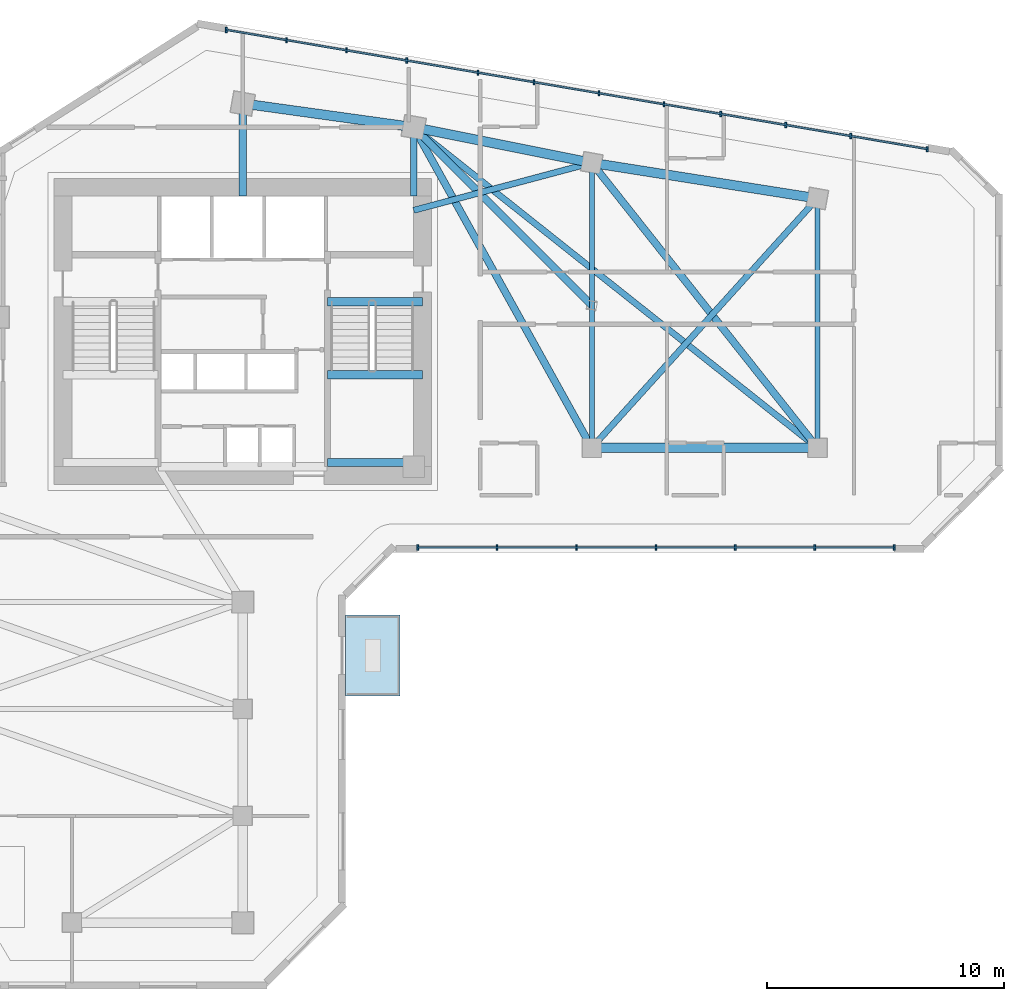
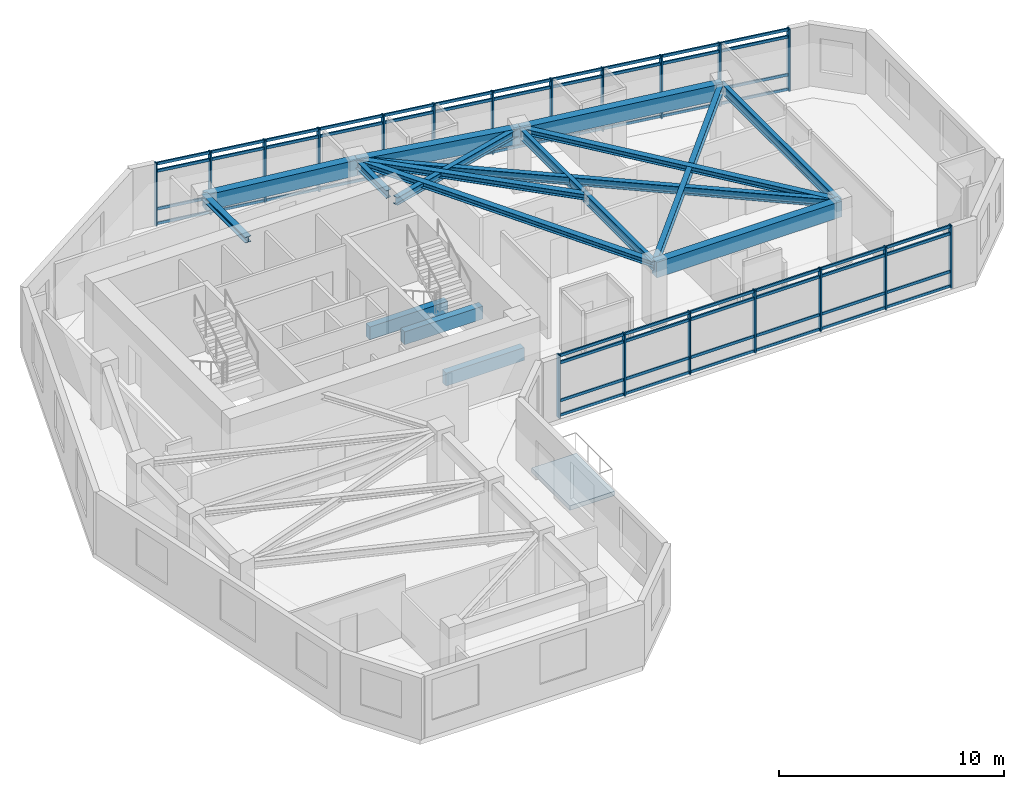
# One storey, part 2 of 10: 27 members, 17 beams, 1 slab, 2 elements without a shape of their own.
"""IFC4 building model written with IfcOpenShell, lengths in metres."""

from ifc_helpers import new_model, si_unit, direction, frame, origin, origin_2d, place, context, subcontext, project, spatial, polyline, rectangle, i_section, outline, extrude, source, transform, mapped, material, layer, layer_set, material_profile, profile_set, type_object, element, aggregate, save


model = new_model("IFC4")

# Units and contexts
model_context = context("Model", 3, precision=1e-05, world=origin(), true_north=direction((0.0, 1.0)))
body_context = subcontext(model_context, "Body", "Model", "MODEL_VIEW")
ifc_project = project(units=[si_unit("LENGTHUNIT", "METRE"), si_unit("AREAUNIT", "SQUARE_METRE"), si_unit("VOLUMEUNIT", "CUBIC_METRE"), si_unit("PLANEANGLEUNIT", "RADIAN"), si_unit("MASSUNIT", "GRAM", prefix="KILO")], contexts=[model_context])

# Site, building, storey
site_placement = place(None, origin())
site = spatial("IfcSite", under=ifc_project, at=site_placement, CompositionType="ELEMENT")
building_placement = place(site_placement, origin())
building = spatial("IfcBuilding", under=site, at=building_placement, Name="Calvemar Wedge Station Tower", CompositionType="ELEMENT")
storey_placement = place(building_placement, frame((0.0, 0.0, 153.800048828125)))
storey = spatial("IfcBuildingStorey", under=building, at=storey_placement, Name="L38", CompositionType="ELEMENT", Elevation=153.800048828125)

# Beams
ifc_material_1 = material(Name="Concrete C60", Category="concrete")
ifc_material_profile_1 = material_profile(ifc_material_1, rectangle(XDim=0.39990234375, YDim=0.85009765625, at=origin_2d()), Name="RC400x850")
ifc_profile_set_1 = profile_set([ifc_material_profile_1], Name="Concrete C60")
beam_type_1 = type_object("IfcBeamType", Name="BM-SP1-850", PredefinedType="SPANDREL", material=ifc_profile_set_1)
shared_shape_1 = source(origin(), body_context, "Body", "SweptSolid", [
    extrude(rectangle(XDim=0.39990234375, YDim=0.85009765625, at=origin_2d()), origin(), (0.0, 0.0, 1.0), 7.26904296875),
])
beam_1_placement = place(storey_placement, frame((23.800048828125, 49.5, 2.925048828125), z_axis=(0.990492146053, -0.13756928657, 0.0), x_axis=(0.13756928657, 0.990492146053, 0.0)))
element("IfcBeam", 1, at=beam_1_placement, inside=storey, type_object=beam_type_1, Name="Storey L38 Spandrel T-N1-T-N2", PredefinedType="SPANDREL", context=body_context, shape_type="MappedRepresentation", body=[
    mapped(shared_shape_1, transform((0.0, 0.0, 0.0), scale=1.0)),
])
shared_shape_2 = source(origin(), body_context, "Body", "SweptSolid", [
    extrude(rectangle(XDim=0.39990234375, YDim=0.85009765625, at=origin_2d()), origin(), (0.0, 0.0, 1.0), 7.6484375),
])
beam_2_placement = place(storey_placement, frame((31.0, 48.5, 2.925048828125), z_axis=(0.980580675691, -0.196116135138, 0.0), x_axis=(0.196116135138, 0.980580675691, 0.0)))
element("IfcBeam", 2, at=beam_2_placement, inside=storey, type_object=beam_type_1, Name="Storey L38 Spandrel T-N2-T-NU3", PredefinedType="SPANDREL", context=body_context, shape_type="MappedRepresentation", body=[
    mapped(shared_shape_2, transform((0.0, 0.0, 0.0), scale=1.0)),
])
shared_shape_3 = source(origin(), body_context, "Body", "SweptSolid", [
    extrude(rectangle(XDim=0.39990234375, YDim=0.85009765625, at=origin_2d()), origin(), (0.0, 0.0, 1.0), 9.61767578125),
])
beam_3_placement = place(storey_placement, frame((38.5, 47.0, 2.925048828125), z_axis=(0.987762965329, -0.155962573473, 0.0), x_axis=(0.155962573473, 0.987762965329, 0.0)))
element("IfcBeam", 3, at=beam_3_placement, inside=storey, type_object=beam_type_1, Name="Storey L38 Spandrel T-NU3-T-NU4", PredefinedType="SPANDREL", context=body_context, shape_type="MappedRepresentation", body=[
    mapped(shared_shape_3, transform((0.0, 0.0, 0.0), scale=1.0)),
])
shared_shape_4 = source(origin(), body_context, "Body", "SweptSolid", [
    extrude(rectangle(XDim=0.39990234375, YDim=0.85009765625, at=origin_2d()), origin(), (0.0, 0.0, 1.0), 9.5),
])
beam_4_placement = place(storey_placement, frame((38.5, 35.0, 2.925048828125), z_axis=(1.0, 0.0, 0.0), x_axis=(0.0, 1.0, 0.0)))
element("IfcBeam", 4, at=beam_4_placement, inside=storey, type_object=beam_type_1, Name="Storey L38 Spandrel T-NL2-T-NL3", PredefinedType="SPANDREL", context=body_context, shape_type="MappedRepresentation", body=[
    mapped(shared_shape_4, transform((0.0, 0.0, 0.0), scale=1.0)),
])
ifc_material_2 = material(Name="Structural steel ASTM A572 Grade 50", Category="steel")
ifc_material_profile_2 = material_profile(ifc_material_2, i_section(OverallWidth=0.304931640625, OverallDepth=0.30810546875, WebThickness=0.010009765625, FlangeThickness=0.015380859375, FilletRadius=0.014892578125, at=origin_2d()), Name="W310x97")
ifc_profile_set_2 = profile_set([ifc_material_profile_2], Name="Structural steel ASTM A572 Grade 50")
beam_type_2 = type_object("IfcBeamType", Name="BM-J6-W310", PredefinedType="JOIST", material=ifc_profile_set_2)
shared_shape_5 = source(origin(), body_context, "Body", "SweptSolid", [
    extrude(i_section(OverallWidth=0.304931640625, OverallDepth=0.30810546875, WebThickness=0.010009765625, FlangeThickness=0.015380859375, FilletRadius=0.014892578125, at=origin_2d()), origin(), (0.0, 0.0, 1.0), 15.443359375),
])
beam_5_placement = place(storey_placement, frame((31.0, 48.5, 3.196044921875), z_axis=(0.485642931179, -0.874157276122, 0.0), x_axis=(0.874157276122, 0.485642931179, 0.0)))
element("IfcBeam", 5, at=beam_5_placement, inside=storey, type_object=beam_type_2, Name="Storey L38 Floor Beam T-N2-T-NL2", PredefinedType="JOIST", context=body_context, shape_type="MappedRepresentation", body=[
    mapped(shared_shape_5, transform((0.0, 0.0, 0.0), scale=1.0)),
])
ifc_material_profile_3 = material_profile(ifc_material_2, i_section(OverallWidth=0.260986328125, OverallDepth=0.419921875, WebThickness=0.01171875, FlangeThickness=0.019287109375, FilletRadius=0.012939453125, at=origin_2d()), Name="W410x114")
ifc_profile_set_3 = profile_set([ifc_material_profile_3], Name="Structural steel ASTM A572 Grade 50")
beam_type_3 = type_object("IfcBeamType", Name="BM-J2-W410H", PredefinedType="JOIST", material=ifc_profile_set_3)
shared_shape_6 = source(origin(), body_context, "Body", "SweptSolid", [
    extrude(i_section(OverallWidth=0.260986328125, OverallDepth=0.419921875, WebThickness=0.01171875, FlangeThickness=0.019287109375, FilletRadius=0.012939453125, at=origin_2d()), origin(), (0.0, 0.0, 1.0), 21.708251953125),
])
beam_6_placement = place(storey_placement, frame((31.0, 48.5, 3.139892578125), z_axis=(0.783110847498, -0.621882143602, 0.0), x_axis=(0.621882143602, 0.783110847498, 0.0)))
element("IfcBeam", 6, at=beam_6_placement, inside=storey, type_object=beam_type_3, Name="Storey L38 Floor Beam T-N2-T-NL3", PredefinedType="JOIST", context=body_context, shape_type="MappedRepresentation", body=[
    mapped(shared_shape_6, transform((0.0, 0.0, 0.0), scale=1.0)),
])
shared_shape_7 = source(origin(), body_context, "Body", "SweptSolid", [
    extrude(i_section(OverallWidth=0.304931640625, OverallDepth=0.30810546875, WebThickness=0.010009765625, FlangeThickness=0.015380859375, FilletRadius=0.014892578125, at=origin_2d()), origin(), (0.0, 0.0, 1.0), 15.30517578125),
])
beam_7_placement = place(storey_placement, frame((38.5, 47.0, 3.196044921875), z_axis=(0.620702944366, -0.784045824462, 0.0), x_axis=(0.784045824462, 0.620702944366, 0.0)))
element("IfcBeam", 7, at=beam_7_placement, inside=storey, type_object=beam_type_2, Name="Storey L38 Floor Beam T-NU3-T-NL3", PredefinedType="JOIST", context=body_context, shape_type="MappedRepresentation", body=[
    mapped(shared_shape_7, transform((0.0, 0.0, 0.0), scale=1.0)),
])
shared_shape_8 = source(origin(), body_context, "Body", "SweptSolid", [
    extrude(i_section(OverallWidth=0.260986328125, OverallDepth=0.419921875, WebThickness=0.01171875, FlangeThickness=0.019287109375, FilletRadius=0.012939453125, at=origin_2d()), origin(), (0.0, 0.0, 1.0), 14.159912109375),
])
beam_8_placement = place(storey_placement, frame((38.5, 35.0, 3.139892578125), z_axis=(0.670913323969, 0.741535779124, 0.0), x_axis=(-0.741535779124, 0.670913323969, 0.0)))
element("IfcBeam", 8, at=beam_8_placement, inside=storey, type_object=beam_type_3, Name="Storey L38 Floor Beam T-NL2-T-NU4", PredefinedType="JOIST", context=body_context, shape_type="MappedRepresentation", body=[
    mapped(shared_shape_8, transform((0.0, 0.0, 0.0), scale=1.0)),
])
shared_shape_9 = source(origin(), body_context, "Body", "SweptSolid", [
    extrude(i_section(OverallWidth=0.260986328125, OverallDepth=0.419921875, WebThickness=0.01171875, FlangeThickness=0.019287109375, FilletRadius=0.012939453125, at=origin_2d()), origin(), (0.0, 0.0, 1.0), 7.76220703125),
])
beam_9_placement = place(storey_placement, frame((31.0, 45.0, 3.139892578125), z_axis=(0.966234939601, 0.25766265056, 0.0), x_axis=(-0.25766265056, 0.966234939601, 0.0)))
element("IfcBeam", 9, at=beam_9_placement, inside=storey, type_object=beam_type_3, Name="Storey L38 Core-to-Column Joist CJ-E2", PredefinedType="JOIST", context=body_context, shape_type="MappedRepresentation", body=[
    mapped(shared_shape_9, transform((0.0, 0.0, 0.0), scale=1.0)),
])
shared_shape_10 = source(origin(), body_context, "Body", "SweptSolid", [
    extrude(i_section(OverallWidth=0.304931640625, OverallDepth=0.30810546875, WebThickness=0.010009765625, FlangeThickness=0.015380859375, FilletRadius=0.014892578125, at=origin_2d()), origin(), (0.0, 0.0, 1.0), 3.89990234375),
])
beam_10_placement = place(storey_placement, frame((23.800048828125, 45.60009765625, 3.196044921875), z_axis=(0.0, 1.0, 0.0), x_axis=(-1.0, 0.0, 0.0)))
element("IfcBeam", 10, at=beam_10_placement, inside=storey, type_object=beam_type_2, Name="Storey L38 Core-to-Column Joist CJ-N1", PredefinedType="JOIST", context=body_context, shape_type="MappedRepresentation", body=[
    mapped(shared_shape_10, transform((0.0, 0.0, 0.0), scale=1.0)),
])
shared_shape_11 = source(origin(), body_context, "Body", "SweptSolid", [
    extrude(i_section(OverallWidth=0.260986328125, OverallDepth=0.419921875, WebThickness=0.01171875, FlangeThickness=0.019287109375, FilletRadius=0.012939453125, at=origin_2d()), origin(), (0.0, 0.0, 1.0), 2.89990234375),
])
beam_11_placement = place(storey_placement, frame((31.0, 45.60009765625, 3.139892578125), z_axis=(0.0, 1.0, 0.0), x_axis=(-1.0, 0.0, 0.0)))
element("IfcBeam", 11, at=beam_11_placement, inside=storey, type_object=beam_type_3, Name="Storey L38 Core-to-Column Joist CJ-N2", PredefinedType="JOIST", context=body_context, shape_type="MappedRepresentation", body=[
    mapped(shared_shape_11, transform((0.0, 0.0, 0.0), scale=1.0)),
])
ifc_material_3 = material(Name="Concrete C70", Category="concrete")
ifc_material_profile_4 = material_profile(ifc_material_3, rectangle(XDim=0.35009765625, YDim=0.699951171875, at=origin_2d()), Name="RC350x700")
ifc_profile_set_4 = profile_set([ifc_material_profile_4], Name="Concrete C70")
beam_type_4 = type_object("IfcBeamType", Name="BM-LN1-700", PredefinedType="LINTEL", material=ifc_profile_set_4)
shared_shape_12 = source(origin(), body_context, "Body", "SweptSolid", [
    extrude(rectangle(XDim=0.35009765625, YDim=0.699951171875, at=origin_2d()), origin(), (0.0, 0.0, 1.0), 4.0048828125),
])
for number, where, z_axis, x_axis, name in (
    (12, (27.3701171875, 41.14990234375, -0.35009765625), (1.0, 0.0, 0.0), (0.0, 1.0, 0.0), "Storey L38 Stair ST-C2 Landing Trimmer Beam"),
    (13, (27.3701171875, 34.3798828125, 1.25), (1.0, 0.0, 0.0), (0.0, 1.0, 0.0), "Storey L38 Stair ST-C2 Half-Landing Beam 1A"),
    (14, (27.3701171875, 38.070068359375, 1.25), (1.0, 0.0, 0.0), (0.0, 1.0, 0.0), "Storey L38 Stair ST-C2 Half-Landing Beam 1B"),
):
    element("IfcBeam", number, at=place(storey_placement, frame(where, z_axis=z_axis, x_axis=x_axis)), inside=storey, type_object=beam_type_4, Name=name, PredefinedType="LINTEL", context=body_context, shape_type="MappedRepresentation", body=[
        mapped(shared_shape_12, transform((0.0, 0.0, 0.0), scale=1.0)),
    ])
ifc_material_profile_5 = material_profile(ifc_material_2, i_section(OverallWidth=0.2109375, OverallDepth=0.5390625, WebThickness=0.01171875, FlangeThickness=0.018798828125, FilletRadius=0.012939453125, at=origin_2d()), Name="W530x109")
ifc_profile_set_5 = profile_set([ifc_material_profile_5], Name="Structural steel ASTM A572 Grade 50")
beam_type_5 = type_object("IfcBeamType", Name="BM-SB4-W530", PredefinedType="BEAM", material=ifc_profile_set_5)
shared_shape_13 = source(origin(), body_context, "Body", "SweptSolid", [
    extrude(i_section(OverallWidth=0.2109375, OverallDepth=0.5390625, WebThickness=0.01171875, FlangeThickness=0.018798828125, FilletRadius=0.012939453125, at=origin_2d()), origin(), (0.0, 0.0, 1.0), 12.0),
])
beam_12_placement = place(storey_placement, frame((38.5, 47.0, 3.08056640625), z_axis=(0.0, -1.0, 0.0), x_axis=(1.0, 0.0, 0.0)))
element("IfcBeam", 15, at=beam_12_placement, inside=storey, type_object=beam_type_5, Name="Storey L38 Floor Beam T-NU3-T-NL2", PredefinedType="BEAM", context=body_context, shape_type="MappedRepresentation", body=[
    mapped(shared_shape_13, transform((0.0, 0.0, 0.0), scale=1.0)),
])
shared_shape_14 = source(origin(), body_context, "Body", "SweptSolid", [
    extrude(i_section(OverallWidth=0.2109375, OverallDepth=0.5390625, WebThickness=0.01171875, FlangeThickness=0.018798828125, FilletRadius=0.012939453125, at=origin_2d()), origin(), (0.0, 0.0, 1.0), 10.5),
])
beam_13_placement = place(storey_placement, frame((48.0, 45.5, 3.08056640625), z_axis=(0.0, -1.0, 0.0), x_axis=(1.0, 0.0, 0.0)))
element("IfcBeam", 16, at=beam_13_placement, inside=storey, type_object=beam_type_5, Name="Storey L38 Floor Beam T-NU4-T-NL3", PredefinedType="BEAM", context=body_context, shape_type="MappedRepresentation", body=[
    mapped(shared_shape_14, transform((0.0, 0.0, 0.0), scale=1.0)),
])
shared_shape_15 = source(origin(), body_context, "Body", "SweptSolid", [
    extrude(i_section(OverallWidth=0.304931640625, OverallDepth=0.30810546875, WebThickness=0.010009765625, FlangeThickness=0.015380859375, FilletRadius=0.014892578125, at=origin_2d()), origin(), (0.0, 0.0, 1.0), 10.606689453125),
])
beam_14_placement = place(storey_placement, frame((38.5, 41.0, 3.196044921875), z_axis=(-0.707106781187, 0.707106781187, 0.0), x_axis=(-0.707106781187, -0.707106781187, 0.0)))
element("IfcBeam", 17, at=beam_14_placement, inside=storey, type_object=beam_type_2, Name="Storey L38 Floor Beam T-NTIP-B-T-N2", PredefinedType="JOIST", context=body_context, shape_type="MappedRepresentation", body=[
    mapped(shared_shape_15, transform((0.0, 0.0, 0.0), scale=1.0)),
])

# Curtain wall, members
ifc_material_4 = material(Name="Anodised aluminium 6063-T6", Category="aluminium")
curtain_wall_type = type_object("IfcCurtainWallType", Name="CW2", PredefinedType="NOTDEFINED", material=ifc_material_4)
curtain_wall_1_placement = place(storey_placement, origin())
curtain_wall_1 = element("IfcCurtainWall", 18, at=curtain_wall_1_placement, inside=storey, type_object=curtain_wall_type, Name="Storey L38 CW2 Recessed Unitised Curtain Wall 6", PredefinedType="NOTDEFINED")
ifc_material_profile_6 = material_profile(ifc_material_4, rectangle(XDim=0.074951171875, YDim=0.219970703125, at=origin_2d()), Name="AL-MUL-75x220")
ifc_profile_set_6 = profile_set([ifc_material_profile_6], Name="Anodised aluminium 6063-T6")
member_type_1 = type_object("IfcMemberType", Name="CW2-MUL", PredefinedType="MULLION", material=ifc_profile_set_6)
shared_shape_16 = source(origin(), body_context, "Body", "SweptSolid", [
    extrude(rectangle(XDim=0.074951171875, YDim=0.219970703125, at=origin_2d()), origin(), (0.0, 0.0, 1.0), 3.39990234375),
])
member_1_placement = place(storey_placement, frame((31.166015625, 30.802001953125, -0.050048828125), z_axis=(0.0, 0.0, 1.0), x_axis=(1.0, 0.0, 0.0)))
member_1 = element("IfcMember", 19, at=member_1_placement, type_object=member_type_1, Name="CW2 mullion 1", PredefinedType="MULLION", context=body_context, shape_type="MappedRepresentation", body=[
    mapped(shared_shape_16, transform((0.0, 0.0, 0.0), scale=1.0)),
])
member_2_placement = place(storey_placement, frame((34.51123046875, 30.802001953125, -0.050048828125), z_axis=(0.0, 0.0, 1.0), x_axis=(1.0, 0.0, 0.0)))
member_2 = element("IfcMember", 20, at=member_2_placement, type_object=member_type_1, Name="CW2 mullion 2", PredefinedType="MULLION", context=body_context, shape_type="MappedRepresentation", body=[
    mapped(shared_shape_16, transform((0.0, 0.0, 0.0), scale=1.0)),
])
member_3_placement = place(storey_placement, frame((37.856689453125, 30.802001953125, -0.050048828125), z_axis=(0.0, 0.0, 1.0), x_axis=(1.0, 0.0, 0.0)))
member_3 = element("IfcMember", 21, at=member_3_placement, type_object=member_type_1, Name="CW2 mullion 3", PredefinedType="MULLION", context=body_context, shape_type="MappedRepresentation", body=[
    mapped(shared_shape_16, transform((0.0, 0.0, 0.0), scale=1.0)),
])
member_4_placement = place(storey_placement, frame((41.201904296875, 30.802001953125, -0.050048828125), z_axis=(0.0, 0.0, 1.0), x_axis=(1.0, 0.0, 0.0)))
member_4 = element("IfcMember", 22, at=member_4_placement, type_object=member_type_1, Name="CW2 mullion 4", PredefinedType="MULLION", context=body_context, shape_type="MappedRepresentation", body=[
    mapped(shared_shape_16, transform((0.0, 0.0, 0.0), scale=1.0)),
])
member_5_placement = place(storey_placement, frame((44.547119140625, 30.802001953125, -0.050048828125), z_axis=(0.0, 0.0, 1.0), x_axis=(1.0, 0.0, 0.0)))
member_5 = element("IfcMember", 23, at=member_5_placement, type_object=member_type_1, Name="CW2 mullion 5", PredefinedType="MULLION", context=body_context, shape_type="MappedRepresentation", body=[
    mapped(shared_shape_16, transform((0.0, 0.0, 0.0), scale=1.0)),
])
member_6_placement = place(storey_placement, frame((47.892578125, 30.802001953125, -0.050048828125), z_axis=(0.0, 0.0, 1.0), x_axis=(1.0, 0.0, 0.0)))
member_6 = element("IfcMember", 24, at=member_6_placement, type_object=member_type_1, Name="CW2 mullion 6", PredefinedType="MULLION", context=body_context, shape_type="MappedRepresentation", body=[
    mapped(shared_shape_16, transform((0.0, 0.0, 0.0), scale=1.0)),
])
member_7_placement = place(storey_placement, frame((51.23779296875, 30.802001953125, -0.050048828125), z_axis=(0.0, 0.0, 1.0), x_axis=(1.0, 0.0, 0.0)))
member_7 = element("IfcMember", 25, at=member_7_placement, type_object=member_type_1, Name="CW2 mullion 7", PredefinedType="MULLION", context=body_context, shape_type="MappedRepresentation", body=[
    mapped(shared_shape_16, transform((0.0, 0.0, 0.0), scale=1.0)),
])

curtain_wall_2_placement = place(storey_placement, origin())
curtain_wall_2 = element("IfcCurtainWall", 26, at=curtain_wall_2_placement, inside=storey, type_object=curtain_wall_type, Name="Storey L38 CW2 Recessed Unitised Curtain Wall 10", PredefinedType="NOTDEFINED")
member_8_placement = place(storey_placement, frame((52.63330078125, 47.577392578125, -0.050048828125), z_axis=(0.0, 0.0, 1.0), x_axis=(1.0, 0.0, 0.0)))
member_8 = element("IfcMember", 27, at=member_8_placement, type_object=member_type_1, Name="CW2 mullion 1", PredefinedType="MULLION", context=body_context, shape_type="MappedRepresentation", body=[
    mapped(shared_shape_16, transform((0.0, 0.0, 0.0), scale=1.0)),
])
member_9_placement = place(storey_placement, frame((49.40625, 48.126220703125, -0.050048828125), z_axis=(0.0, 0.0, 1.0), x_axis=(1.0, 0.0, 0.0)))
member_9 = element("IfcMember", 28, at=member_9_placement, type_object=member_type_1, Name="CW2 mullion 2", PredefinedType="MULLION", context=body_context, shape_type="MappedRepresentation", body=[
    mapped(shared_shape_16, transform((0.0, 0.0, 0.0), scale=1.0)),
])
member_10_placement = place(storey_placement, frame((46.67236328125, 48.591064453125, -0.050048828125), z_axis=(0.0, 0.0, 1.0), x_axis=(1.0, 0.0, 0.0)))
member_10 = element("IfcMember", 29, at=member_10_placement, type_object=member_type_1, Name="CW2 mullion 3", PredefinedType="MULLION", context=body_context, shape_type="MappedRepresentation", body=[
    mapped(shared_shape_16, transform((0.0, 0.0, 0.0), scale=1.0)),
])
member_11_placement = place(storey_placement, frame((43.938232421875, 49.05615234375, -0.050048828125), z_axis=(0.0, 0.0, 1.0), x_axis=(1.0, 0.0, 0.0)))
member_11 = element("IfcMember", 30, at=member_11_placement, type_object=member_type_1, Name="CW2 mullion 4", PredefinedType="MULLION", context=body_context, shape_type="MappedRepresentation", body=[
    mapped(shared_shape_16, transform((0.0, 0.0, 0.0), scale=1.0)),
])
member_12_placement = place(storey_placement, frame((41.5380859375, 49.46435546875, -0.050048828125), z_axis=(0.0, 0.0, 1.0), x_axis=(1.0, 0.0, 0.0)))
member_12 = element("IfcMember", 31, at=member_12_placement, type_object=member_type_1, Name="CW2 mullion 5", PredefinedType="MULLION", context=body_context, shape_type="MappedRepresentation", body=[
    mapped(shared_shape_16, transform((0.0, 0.0, 0.0), scale=1.0)),
])
member_13_placement = place(storey_placement, frame((38.8046875, 49.92919921875, -0.050048828125), z_axis=(0.0, 0.0, 1.0), x_axis=(1.0, 0.0, 0.0)))
member_13 = element("IfcMember", 32, at=member_13_placement, type_object=member_type_1, Name="CW2 mullion 6", PredefinedType="MULLION", context=body_context, shape_type="MappedRepresentation", body=[
    mapped(shared_shape_16, transform((0.0, 0.0, 0.0), scale=1.0)),
])
member_14_placement = place(storey_placement, frame((36.0712890625, 50.39404296875, -0.050048828125), z_axis=(0.0, 0.0, 1.0), x_axis=(1.0, 0.0, 0.0)))
member_14 = element("IfcMember", 33, at=member_14_placement, type_object=member_type_1, Name="CW2 mullion 7", PredefinedType="MULLION", context=body_context, shape_type="MappedRepresentation", body=[
    mapped(shared_shape_16, transform((0.0, 0.0, 0.0), scale=1.0)),
])
member_15_placement = place(storey_placement, frame((33.7080078125, 50.7958984375, -0.050048828125), z_axis=(0.0, 0.0, 1.0), x_axis=(1.0, 0.0, 0.0)))
member_15 = element("IfcMember", 34, at=member_15_placement, type_object=member_type_1, Name="CW2 mullion 8", PredefinedType="MULLION", context=body_context, shape_type="MappedRepresentation", body=[
    mapped(shared_shape_16, transform((0.0, 0.0, 0.0), scale=1.0)),
])
member_16_placement = place(storey_placement, frame((30.7080078125, 51.30615234375, -0.050048828125), z_axis=(0.0, 0.0, 1.0), x_axis=(1.0, 0.0, 0.0)))
member_16 = element("IfcMember", 35, at=member_16_placement, type_object=member_type_1, Name="CW2 mullion 9", PredefinedType="MULLION", context=body_context, shape_type="MappedRepresentation", body=[
    mapped(shared_shape_16, transform((0.0, 0.0, 0.0), scale=1.0)),
])
member_17_placement = place(storey_placement, frame((28.17431640625, 51.737060546875, -0.050048828125), z_axis=(0.0, 0.0, 1.0), x_axis=(1.0, 0.0, 0.0)))
member_17 = element("IfcMember", 36, at=member_17_placement, type_object=member_type_1, Name="CW2 mullion 10", PredefinedType="MULLION", context=body_context, shape_type="MappedRepresentation", body=[
    mapped(shared_shape_16, transform((0.0, 0.0, 0.0), scale=1.0)),
])
member_18_placement = place(storey_placement, frame((25.64013671875, 52.16796875, -0.050048828125), z_axis=(0.0, 0.0, 1.0), x_axis=(1.0, 0.0, 0.0)))
member_18 = element("IfcMember", 37, at=member_18_placement, type_object=member_type_1, Name="CW2 mullion 11", PredefinedType="MULLION", context=body_context, shape_type="MappedRepresentation", body=[
    mapped(shared_shape_16, transform((0.0, 0.0, 0.0), scale=1.0)),
])
member_19_placement = place(storey_placement, frame((23.106201171875, 52.598876953125, -0.050048828125), z_axis=(0.0, 0.0, 1.0), x_axis=(1.0, 0.0, 0.0)))
member_19 = element("IfcMember", 38, at=member_19_placement, type_object=member_type_1, Name="CW2 mullion 12", PredefinedType="MULLION", context=body_context, shape_type="MappedRepresentation", body=[
    mapped(shared_shape_16, transform((0.0, 0.0, 0.0), scale=1.0)),
])
ifc_material_profile_7 = material_profile(ifc_material_4, rectangle(XDim=0.074951171875, YDim=0.14990234375, at=origin_2d()), Name="AL-TRN-75x150")
ifc_profile_set_7 = profile_set([ifc_material_profile_7], Name="Anodised aluminium 6063-T6")
member_type_2 = type_object("IfcMemberType", Name="CW2-TRN", PredefinedType="USERDEFINED", material=ifc_profile_set_7)
shared_shape_17 = source(origin(), body_context, "Body", "SweptSolid", [
    extrude(rectangle(XDim=0.074951171875, YDim=0.14990234375, at=origin_2d()), origin(), (0.0, 0.0, 1.0), 29.950927734375),
])
member_20_placement = place(storey_placement, frame((52.63330078125, 47.577392578125, 0.06005859375), z_axis=(-0.985845487877, 0.167656416615, 0.0), x_axis=(-0.167656416615, -0.985845487877, 0.0)))
member_20 = element("IfcMember", 39, at=member_20_placement, type_object=member_type_2, Name="CW2 transom 1", ObjectType="TRANSOM", PredefinedType="USERDEFINED", context=body_context, shape_type="MappedRepresentation", body=[
    mapped(shared_shape_17, transform((0.0, 0.0, 0.0), scale=1.0)),
])
member_21_placement = place(storey_placement, frame((52.63330078125, 47.577392578125, 0.849853515625), z_axis=(-0.985845487877, 0.167656416615, 0.0), x_axis=(-0.167656416615, -0.985845487877, 0.0)))
member_21 = element("IfcMember", 40, at=member_21_placement, type_object=member_type_2, Name="CW2 transom 2", ObjectType="TRANSOM", PredefinedType="USERDEFINED", context=body_context, shape_type="MappedRepresentation", body=[
    mapped(shared_shape_17, transform((0.0, 0.0, 0.0), scale=1.0)),
])
member_22_placement = place(storey_placement, frame((52.63330078125, 47.577392578125, 2.89990234375), z_axis=(-0.985845487877, 0.167656416615, 0.0), x_axis=(-0.167656416615, -0.985845487877, 0.0)))
member_22 = element("IfcMember", 41, at=member_22_placement, type_object=member_type_2, Name="CW2 transom 3", ObjectType="TRANSOM", PredefinedType="USERDEFINED", context=body_context, shape_type="MappedRepresentation", body=[
    mapped(shared_shape_17, transform((0.0, 0.0, 0.0), scale=1.0)),
])
member_23_placement = place(storey_placement, frame((52.63330078125, 47.577392578125, 3.2900390625), z_axis=(-0.985845487877, 0.167656416615, 0.0), x_axis=(-0.167656416615, -0.985845487877, 0.0)))
member_23 = element("IfcMember", 42, at=member_23_placement, type_object=member_type_2, Name="CW2 transom 4", ObjectType="TRANSOM", PredefinedType="USERDEFINED", context=body_context, shape_type="MappedRepresentation", body=[
    mapped(shared_shape_17, transform((0.0, 0.0, 0.0), scale=1.0)),
])
aggregate(curtain_wall_2, [member_8, member_9, member_10, member_11, member_12, member_13, member_14, member_15, member_16, member_17, member_18, member_19, member_20, member_21, member_22, member_23])

# Member
shared_shape_18 = source(origin(), body_context, "Body", "SweptSolid", [
    extrude(rectangle(XDim=0.074951171875, YDim=0.14990234375, at=origin_2d()), origin(), (0.0, 0.0, 1.0), 20.07177734375),
])
member_24_placement = place(storey_placement, frame((31.166015625, 30.802001953125, 0.06005859375), z_axis=(1.0, 0.0, 0.0), x_axis=(0.0, 1.0, 0.0)))
member_24 = element("IfcMember", 43, at=member_24_placement, type_object=member_type_2, Name="CW2 transom 1", ObjectType="TRANSOM", PredefinedType="USERDEFINED", context=body_context, shape_type="MappedRepresentation", body=[
    mapped(shared_shape_18, transform((0.0, 0.0, 0.0), scale=1.0)),
])

member_25_placement = place(storey_placement, frame((31.166015625, 30.802001953125, 0.849853515625), z_axis=(1.0, 0.0, 0.0), x_axis=(0.0, 1.0, 0.0)))
member_25 = element("IfcMember", 44, at=member_25_placement, type_object=member_type_2, Name="CW2 transom 2", ObjectType="TRANSOM", PredefinedType="USERDEFINED", context=body_context, shape_type="MappedRepresentation", body=[
    mapped(shared_shape_18, transform((0.0, 0.0, 0.0), scale=1.0)),
])

member_26_placement = place(storey_placement, frame((31.166015625, 30.802001953125, 2.89990234375), z_axis=(1.0, 0.0, 0.0), x_axis=(0.0, 1.0, 0.0)))
member_26 = element("IfcMember", 45, at=member_26_placement, type_object=member_type_2, Name="CW2 transom 3", ObjectType="TRANSOM", PredefinedType="USERDEFINED", context=body_context, shape_type="MappedRepresentation", body=[
    mapped(shared_shape_18, transform((0.0, 0.0, 0.0), scale=1.0)),
])

member_27_placement = place(storey_placement, frame((31.166015625, 30.802001953125, 3.2900390625), z_axis=(1.0, 0.0, 0.0), x_axis=(0.0, 1.0, 0.0)))
member_27 = element("IfcMember", 46, at=member_27_placement, type_object=member_type_2, Name="CW2 transom 4", ObjectType="TRANSOM", PredefinedType="USERDEFINED", context=body_context, shape_type="MappedRepresentation", body=[
    mapped(shared_shape_18, transform((0.0, 0.0, 0.0), scale=1.0)),
])

aggregate(curtain_wall_1, [member_1, member_2, member_3, member_4, member_5, member_6, member_7, member_24, member_25, member_26, member_27])

# Slab
ifc_material_5 = material(Name="Concrete C45", Category="concrete")
ifc_layer = layer(ifc_material_5, 0.239990234375)
ifc_layer_set = layer_set([ifc_layer], Name="Concrete C45")
slab_type = type_object("IfcSlabType", Name="SL-TERR-240", PredefinedType="FLOOR", material=ifc_layer_set)
slab_placement = place(storey_placement, frame((0.0, 0.0, -0.239990234375)))
element("IfcSlab", 47, at=slab_placement, inside=storey, type_object=slab_type, Name="Storey L38 Planted Spiral Terrace Slab", PredefinedType="FLOOR", context=body_context, shape_type="SweptSolid", body=[
    extrude(outline(polyline([(28.1279296875, 24.550048828125), (30.427978515625, 24.550048828125), (30.427978515625, 27.949951171875), (28.1279296875, 27.949951171875), (28.1279296875, 24.550048828125)])), origin(), (0.0, 0.0, 1.0), 0.239990234375),
])

save(model, "model.ifc")
